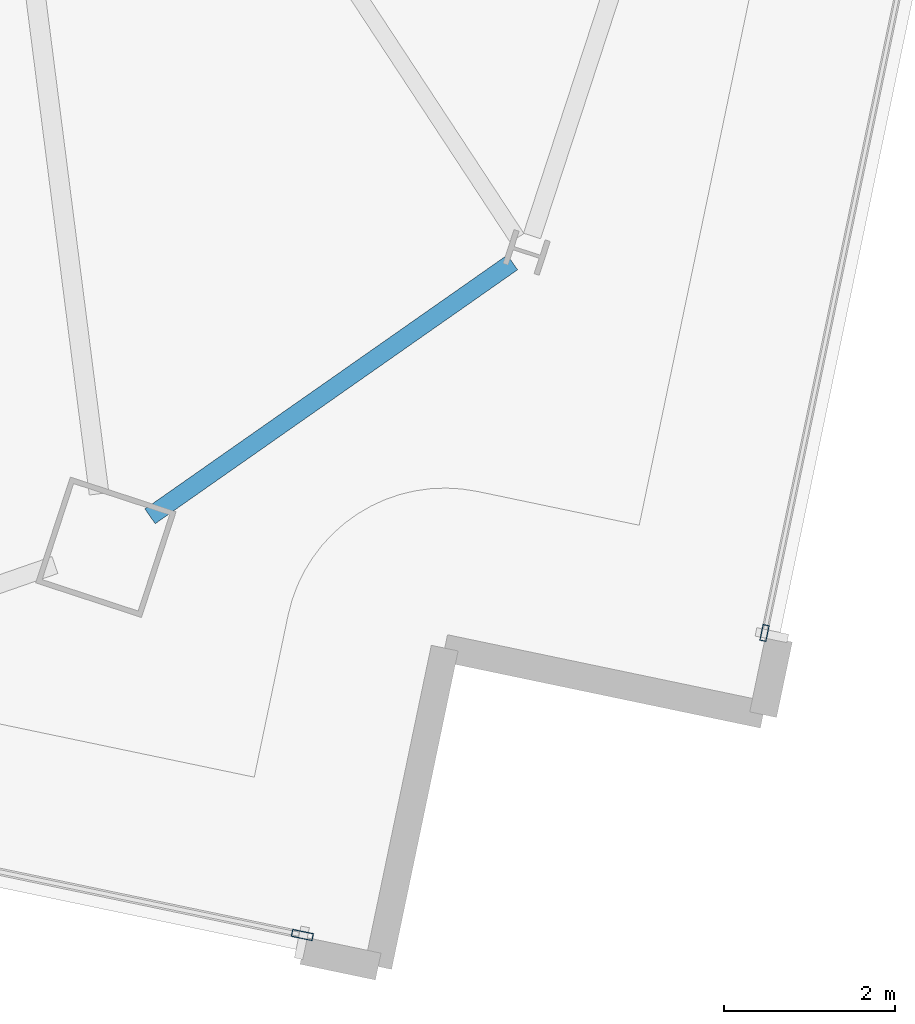
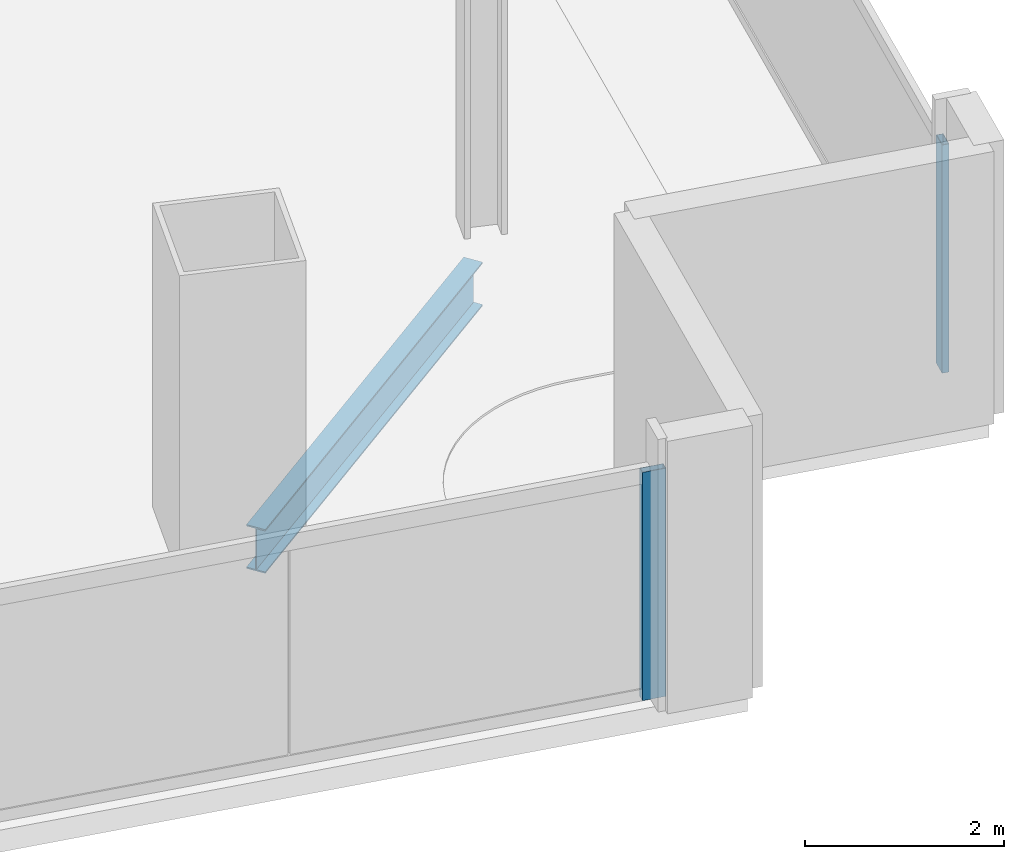
# One storey, part 6 of 24: 2 members, 1 beam, 2 elements without a shape of their own.
"""IFC4 building model written with IfcOpenShell, lengths in metres."""

from ifc_helpers import new_model, si_unit, direction, frame, origin, origin_2d, place, context, subcontext, project, spatial, hollow_rectangle, i_section, extrude, material, material_profile, profile_set, type_object, element, aggregate, save


model = new_model("IFC4")

# Units and contexts
model_context = context("Model", 3, precision=1e-05, world=origin(), true_north=direction((0.0, 1.0)))
body_context = subcontext(model_context, "Body", "Model", "MODEL_VIEW")
ifc_project = project(units=[si_unit("LENGTHUNIT", "METRE"), si_unit("AREAUNIT", "SQUARE_METRE"), si_unit("VOLUMEUNIT", "CUBIC_METRE"), si_unit("PLANEANGLEUNIT", "RADIAN"), si_unit("MASSUNIT", "GRAM", prefix="KILO")], contexts=[model_context])

# Site, building, storey
site_placement = place(None, origin())
site = spatial("IfcSite", under=ifc_project, at=site_placement, CompositionType="ELEMENT")
building_placement = place(site_placement, origin())
building = spatial("IfcBuilding", under=site, at=building_placement, Name="Haldenkirk Collegiate Tower", CompositionType="ELEMENT")
storey_placement = place(building_placement, frame((0.0, 0.0, 289.949951171875)))
storey = spatial("IfcBuildingStorey", under=building, at=storey_placement, Name="L73", CompositionType="ELEMENT", Elevation=289.949951171875)

# Beam
ifc_material_1 = material(Name="Steel ASTM A992 Grade 50", Category="steel")
ifc_material_profile_1 = material_profile(ifc_material_1, i_section(OverallWidth=0.2099609375, OverallDepth=0.537109375, WebThickness=0.010986328125, FlangeThickness=0.017333984375, at=origin_2d()), Name="W21X68")
ifc_profile_set_1 = profile_set([ifc_material_profile_1], Name="Steel ASTM A992 Grade 50")
beam_type = type_object("IfcBeamType", Name="BM-SPANDREL-W21X68", PredefinedType="SPANDREL", material=ifc_profile_set_1)
beam_placement = place(storey_placement, frame((47.243896484375, 4.805908203125, -0.538330078125), z_axis=(0.818943373955, 0.573874333156, 0.0), x_axis=(-0.573874333156, 0.818943373955, 0.0)))
element("IfcBeam", 1, at=beam_placement, inside=storey, type_object=beam_type, Name="L73 perimeter spandrel beam 01", PredefinedType="SPANDREL", context=body_context, shape_type="SweptSolid", body=[
    extrude(i_section(OverallWidth=0.2099609375, OverallDepth=0.537109375, WebThickness=0.010986328125, FlangeThickness=0.017333984375, at=origin_2d()), origin(), (0.0, 0.0, 1.0), 5.16943359375),
])

# Curtain wall, member
ifc_material_2 = material(Name="Anodised architectural bronze aluminium", Category="aluminium")
curtain_wall_type_1 = type_object("IfcCurtainWallType", Name="CW-SYS2-CONCAVE", PredefinedType="USERDEFINED", material=ifc_material_2)
curtain_wall_1_placement = place(storey_placement, origin())
curtain_wall_1 = element("IfcCurtainWall", 2, at=curtain_wall_1_placement, inside=storey, type_object=curtain_wall_type_1, Name="L73 South concave recessed bronze-anodised curtain wall", ObjectType="UNITISED CURTAIN WALL", PredefinedType="USERDEFINED")
ifc_material_profile_2 = material_profile(ifc_material_2, hollow_rectangle(XDim=0.074951171875, YDim=0.18994140625, WallThickness=0.0048828125, at=origin_2d()), Name="CW-MUL-02")
ifc_profile_set_2 = profile_set([ifc_material_profile_2], Name="Anodised architectural bronze aluminium")
member_type_1 = type_object("IfcMemberType", Name="CW-MUL-02", PredefinedType="MULLION", material=ifc_profile_set_2)
member_1_placement = place(storey_placement, frame((54.421630859375, 3.443603515625, 0.0), z_axis=(0.0, 0.0, 1.0), x_axis=(0.978866833362, -0.204498710371, 0.0)))
member_1 = element("IfcMember", 3, at=member_1_placement, type_object=member_type_1, Name="CW-02 mullion 4", PredefinedType="MULLION", context=body_context, shape_type="SweptSolid", body=[
    extrude(hollow_rectangle(XDim=0.074951171875, YDim=0.18994140625, WallThickness=0.0048828125, at=origin_2d()), origin(), (0.0, 0.0, 1.0), 2.798095703125),
])
aggregate(curtain_wall_1, [member_1])

curtain_wall_type_2 = type_object("IfcCurtainWallType", Name="CW-SYS1B-CONVEX-HI", PredefinedType="USERDEFINED", material=ifc_material_2)
curtain_wall_2_placement = place(storey_placement, origin())
curtain_wall_2 = element("IfcCurtainWall", 4, at=curtain_wall_2_placement, inside=storey, type_object=curtain_wall_type_2, Name="L73 Upper tower high-wind convex bronze unitised curtain wall", ObjectType="UNITISED CURTAIN WALL", PredefinedType="USERDEFINED")
ifc_material_profile_3 = material_profile(ifc_material_2, hollow_rectangle(XDim=0.0849609375, YDim=0.25, WallThickness=0.0048828125, at=origin_2d()), Name="CW-MUL-1B")
ifc_profile_set_3 = profile_set([ifc_material_profile_3], Name="Anodised architectural bronze aluminium")
member_type_2 = type_object("IfcMemberType", Name="CW-MUL-1B", PredefinedType="MULLION", material=ifc_profile_set_3)
member_2_placement = place(storey_placement, frame((49.0234375, -0.08447265625, 0.0), z_axis=(0.0, 0.0, 1.0), x_axis=(-0.204498952816, -0.978866782712, 0.0)))
member_2 = element("IfcMember", 5, at=member_2_placement, type_object=member_type_2, Name="CW-1B mullion 1", PredefinedType="MULLION", context=body_context, shape_type="SweptSolid", body=[
    extrude(hollow_rectangle(XDim=0.0849609375, YDim=0.25, WallThickness=0.0048828125, at=origin_2d()), origin(), (0.0, 0.0, 1.0), 2.798095703125),
])
aggregate(curtain_wall_2, [member_2])

save(model, "model.ifc")
